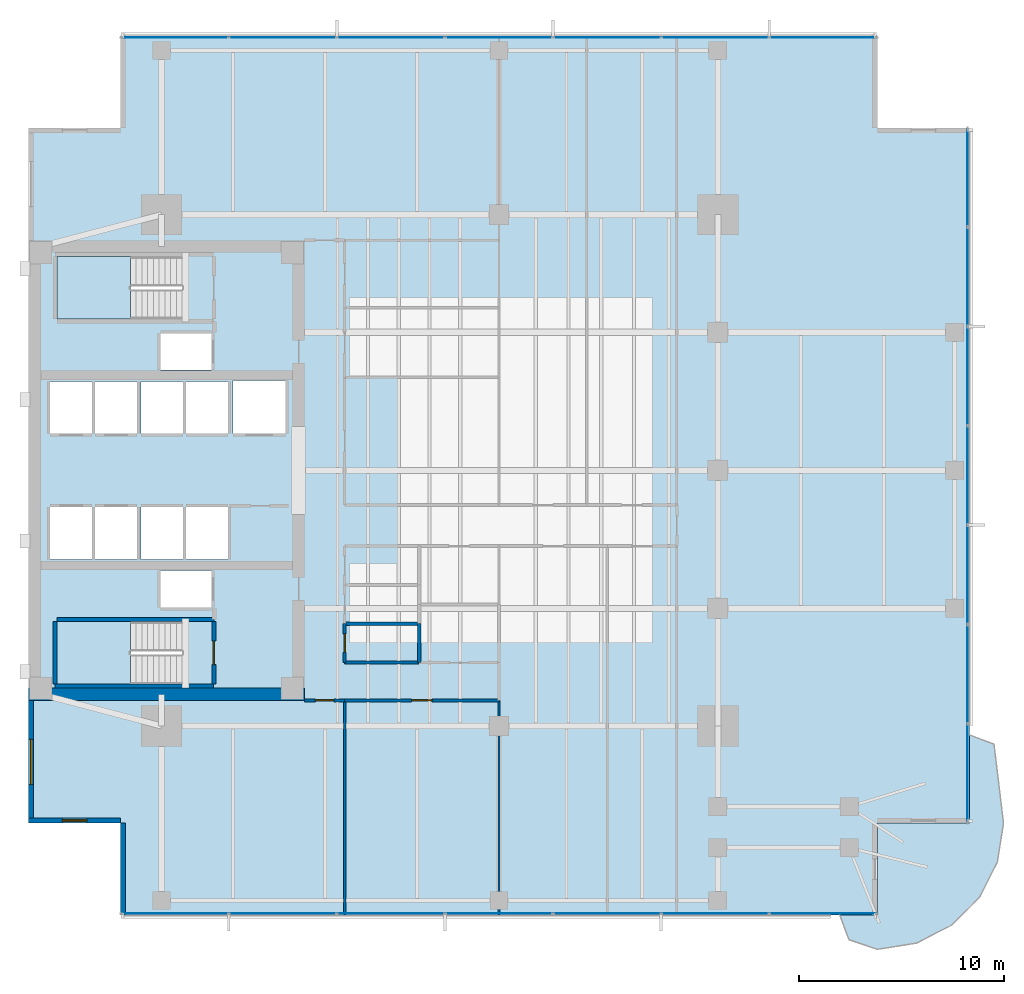
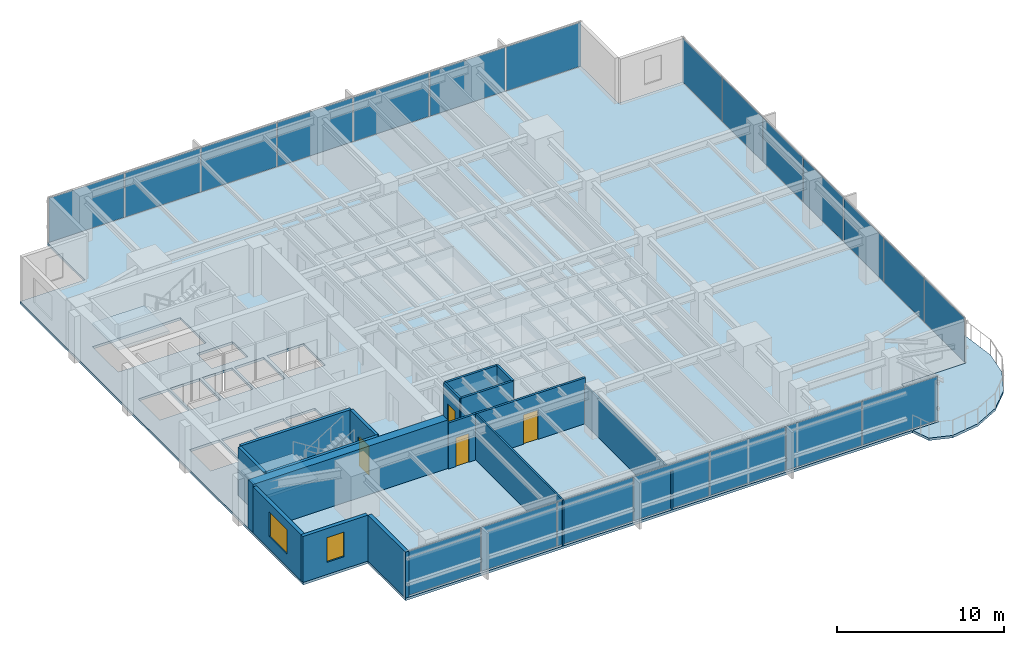
# One storey, part 7 of 14: 21 plates, 16 walls, 4 doors, 4 slabs, 2 windows, 6 openings, 5 elements without a shape of their own.
"""IFC4 building model written with IfcOpenShell, lengths in metres."""

from ifc_helpers import new_model, si_unit, direction, frame, frame_2d, origin, origin_2d, place, context, subcontext, project, spatial, polyline, rectangle, outline, extrude, material, layer, layer_set, type_object, element, fill, aggregate, save


model = new_model("IFC4")

# Units and contexts
model_context = context("Model", 3, precision=1e-05, world=origin(), true_north=direction((0.0, 1.0)))
body_context = subcontext(model_context, "Body", "Model", "MODEL_VIEW")
ifc_project = project(units=[si_unit("LENGTHUNIT", "METRE"), si_unit("AREAUNIT", "SQUARE_METRE"), si_unit("VOLUMEUNIT", "CUBIC_METRE"), si_unit("PLANEANGLEUNIT", "RADIAN"), si_unit("MASSUNIT", "GRAM", prefix="KILO")], contexts=[model_context])

# Site, building, storey
site_placement = place(None, origin())
site = spatial("IfcSite", under=ifc_project, at=site_placement, CompositionType="ELEMENT")
building_placement = place(site_placement, origin())
building = spatial("IfcBuilding", under=site, at=building_placement, Name="Kinhvarn Gate Tower", CompositionType="ELEMENT")
storey_placement = place(building_placement, frame((0.0, 0.0, 127.10009765625)))
storey = spatial("IfcBuildingStorey", under=building, at=storey_placement, Name="L33", CompositionType="ELEMENT", Elevation=127.10009765625)

# Curtain wall, plates
ifc_material_1 = material(Name="Anodised aluminium AW-6063", Category="aluminium")
ifc_layer_1 = layer(ifc_material_1, 0.179931640625)
ifc_layer_set_1 = layer_set([ifc_layer_1], Name="Anodised aluminium AW-6063")
curtain_wall_type = type_object("IfcCurtainWallType", Name="CW-SYS-3", PredefinedType="NOTDEFINED", material=ifc_layer_set_1)
curtain_wall_1_placement = place(storey_placement, origin())
curtain_wall_1 = element("IfcCurtainWall", 1, at=curtain_wall_1_placement, inside=storey, type_object=curtain_wall_type, Name="Curtain Wall CW3 (L33)", PredefinedType="NOTDEFINED")
ifc_material_2 = material(Name="Clear low-e double glazing", Category="glass")
ifc_layer_2 = layer(ifc_material_2, 0.031982421875)
ifc_layer_set_2 = layer_set([ifc_layer_2], Name="Clear low-e double glazing")
plate_type = type_object("IfcPlateType", Name="CW-PNL-VIS", PredefinedType="CURTAIN_PANEL", material=ifc_layer_set_2)
plate_1_placement = place(storey_placement, frame((11.6591796875, 3.590087890625, 0.06982421875), z_axis=(0.0, 0.0, 1.0), x_axis=(1.0, 0.0, 0.0)))
plate_1 = element("IfcPlate", 2, at=plate_1_placement, type_object=plate_type, Name="CW3 panel 1.1", PredefinedType="CURTAIN_PANEL", context=body_context, shape_type="SweptSolid", body=[
    extrude(rectangle(XDim=5.188232421875, YDim=0.031982421875, at=origin_2d()), origin(), (0.0, 0.0, 1.0), 3.22998046875),
])
plate_2_placement = place(storey_placement, frame((16.928466796875, 3.590087890625, 0.06982421875), z_axis=(0.0, 0.0, 1.0), x_axis=(1.0, 0.0, 0.0)))
plate_2 = element("IfcPlate", 3, at=plate_2_placement, type_object=plate_type, Name="CW3 panel 2.1", PredefinedType="CURTAIN_PANEL", context=body_context, shape_type="SweptSolid", body=[
    extrude(rectangle(XDim=5.220703125, YDim=0.031982421875, at=origin_2d()), origin(), (0.0, 0.0, 1.0), 3.22998046875),
])
plate_3_placement = place(storey_placement, frame((22.21435546875, 3.590087890625, 0.06982421875), z_axis=(0.0, 0.0, 1.0), x_axis=(1.0, 0.0, 0.0)))
plate_3 = element("IfcPlate", 4, at=plate_3_placement, type_object=plate_type, Name="CW3 panel 3.1", PredefinedType="CURTAIN_PANEL", context=body_context, shape_type="SweptSolid", body=[
    extrude(rectangle(XDim=5.220703125, YDim=0.031982421875, at=origin_2d()), origin(), (0.0, 0.0, 1.0), 3.22998046875),
])
plate_4_placement = place(storey_placement, frame((27.5, 3.590087890625, 0.06982421875), z_axis=(0.0, 0.0, 1.0), x_axis=(1.0, 0.0, 0.0)))
plate_4 = element("IfcPlate", 5, at=plate_4_placement, type_object=plate_type, Name="CW3 panel 4.1", PredefinedType="CURTAIN_PANEL", context=body_context, shape_type="SweptSolid", body=[
    extrude(rectangle(XDim=5.220703125, YDim=0.031982421875, at=origin_2d()), origin(), (0.0, 0.0, 1.0), 3.22998046875),
])
plate_5_placement = place(storey_placement, frame((32.78564453125, 3.590087890625, 0.06982421875), z_axis=(0.0, 0.0, 1.0), x_axis=(1.0, 0.0, 0.0)))
plate_5 = element("IfcPlate", 6, at=plate_5_placement, type_object=plate_type, Name="CW3 panel 5.1", PredefinedType="CURTAIN_PANEL", context=body_context, shape_type="SweptSolid", body=[
    extrude(rectangle(XDim=5.220703125, YDim=0.031982421875, at=origin_2d()), origin(), (0.0, 0.0, 1.0), 3.22998046875),
])
plate_6_placement = place(storey_placement, frame((38.071533203125, 3.590087890625, 0.06982421875), z_axis=(0.0, 0.0, 1.0), x_axis=(1.0, 0.0, 0.0)))
plate_6 = element("IfcPlate", 7, at=plate_6_placement, type_object=plate_type, Name="CW3 panel 6.1", PredefinedType="CURTAIN_PANEL", context=body_context, shape_type="SweptSolid", body=[
    extrude(rectangle(XDim=5.220703125, YDim=0.031982421875, at=origin_2d()), origin(), (0.0, 0.0, 1.0), 3.22998046875),
])
plate_7_placement = place(storey_placement, frame((43.3408203125, 3.590087890625, 0.06982421875), z_axis=(0.0, 0.0, 1.0), x_axis=(1.0, 0.0, 0.0)))
plate_7 = element("IfcPlate", 8, at=plate_7_placement, type_object=plate_type, Name="CW3 panel 7.1", PredefinedType="CURTAIN_PANEL", context=body_context, shape_type="SweptSolid", body=[
    extrude(rectangle(XDim=5.188232421875, YDim=0.031982421875, at=origin_2d()), origin(), (0.0, 0.0, 1.0), 3.22998046875),
])
aggregate(curtain_wall_1, [plate_1, plate_2, plate_3, plate_4, plate_5, plate_6, plate_7])

curtain_wall_2_placement = place(storey_placement, origin())
curtain_wall_2 = element("IfcCurtainWall", 9, at=curtain_wall_2_placement, inside=storey, type_object=curtain_wall_type, Name="Curtain Wall CW3 (L33)", PredefinedType="NOTDEFINED")
plate_8_placement = place(storey_placement, frame((43.3408203125, 46.409912109375, 0.06982421875), z_axis=(0.0, 0.0, 1.0), x_axis=(-1.0, 0.0, 0.0)))
plate_8 = element("IfcPlate", 10, at=plate_8_placement, type_object=plate_type, Name="CW3 panel 1.1", PredefinedType="CURTAIN_PANEL", context=body_context, shape_type="SweptSolid", body=[
    extrude(rectangle(XDim=5.188232421875, YDim=0.031982421875, at=origin_2d()), origin(), (0.0, 0.0, 1.0), 3.22998046875),
])
plate_9_placement = place(storey_placement, frame((38.071533203125, 46.409912109375, 0.06982421875), z_axis=(0.0, 0.0, 1.0), x_axis=(-1.0, 0.0, 0.0)))
plate_9 = element("IfcPlate", 11, at=plate_9_placement, type_object=plate_type, Name="CW3 panel 2.1", PredefinedType="CURTAIN_PANEL", context=body_context, shape_type="SweptSolid", body=[
    extrude(rectangle(XDim=5.220703125, YDim=0.031982421875, at=origin_2d()), origin(), (0.0, 0.0, 1.0), 3.22998046875),
])
plate_10_placement = place(storey_placement, frame((32.78564453125, 46.409912109375, 0.06982421875), z_axis=(0.0, 0.0, 1.0), x_axis=(-1.0, 0.0, 0.0)))
plate_10 = element("IfcPlate", 12, at=plate_10_placement, type_object=plate_type, Name="CW3 panel 3.1", PredefinedType="CURTAIN_PANEL", context=body_context, shape_type="SweptSolid", body=[
    extrude(rectangle(XDim=5.220703125, YDim=0.031982421875, at=origin_2d()), origin(), (0.0, 0.0, 1.0), 3.22998046875),
])
plate_11_placement = place(storey_placement, frame((27.5, 46.409912109375, 0.06982421875), z_axis=(0.0, 0.0, 1.0), x_axis=(-1.0, 0.0, 0.0)))
plate_11 = element("IfcPlate", 13, at=plate_11_placement, type_object=plate_type, Name="CW3 panel 4.1", PredefinedType="CURTAIN_PANEL", context=body_context, shape_type="SweptSolid", body=[
    extrude(rectangle(XDim=5.220703125, YDim=0.031982421875, at=origin_2d()), origin(), (0.0, 0.0, 1.0), 3.22998046875),
])
plate_12_placement = place(storey_placement, frame((22.21435546875, 46.409912109375, 0.06982421875), z_axis=(0.0, 0.0, 1.0), x_axis=(-1.0, 0.0, 0.0)))
plate_12 = element("IfcPlate", 14, at=plate_12_placement, type_object=plate_type, Name="CW3 panel 5.1", PredefinedType="CURTAIN_PANEL", context=body_context, shape_type="SweptSolid", body=[
    extrude(rectangle(XDim=5.220703125, YDim=0.031982421875, at=origin_2d()), origin(), (0.0, 0.0, 1.0), 3.22998046875),
])
plate_13_placement = place(storey_placement, frame((16.928466796875, 46.409912109375, 0.06982421875), z_axis=(0.0, 0.0, 1.0), x_axis=(-1.0, 0.0, 0.0)))
plate_13 = element("IfcPlate", 15, at=plate_13_placement, type_object=plate_type, Name="CW3 panel 6.1", PredefinedType="CURTAIN_PANEL", context=body_context, shape_type="SweptSolid", body=[
    extrude(rectangle(XDim=5.220703125, YDim=0.031982421875, at=origin_2d()), origin(), (0.0, 0.0, 1.0), 3.22998046875),
])
plate_14_placement = place(storey_placement, frame((11.6591796875, 46.409912109375, 0.06982421875), z_axis=(0.0, 0.0, 1.0), x_axis=(-1.0, 0.0, 0.0)))
plate_14 = element("IfcPlate", 16, at=plate_14_placement, type_object=plate_type, Name="CW3 panel 7.1", PredefinedType="CURTAIN_PANEL", context=body_context, shape_type="SweptSolid", body=[
    extrude(rectangle(XDim=5.188232421875, YDim=0.031982421875, at=origin_2d()), origin(), (0.0, 0.0, 1.0), 3.22998046875),
])
aggregate(curtain_wall_2, [plate_8, plate_9, plate_10, plate_11, plate_12, plate_13, plate_14])

curtain_wall_3_placement = place(storey_placement, origin())
curtain_wall_3 = element("IfcCurtainWall", 17, at=curtain_wall_3_placement, inside=storey, type_object=curtain_wall_type, Name="Curtain Wall CW3 (L33)", PredefinedType="NOTDEFINED")
plate_15_placement = place(storey_placement, frame((50.409912109375, 10.44482421875, 0.06982421875), z_axis=(0.0, 0.0, 1.0), x_axis=(0.0, 1.0, 0.0)))
plate_15 = element("IfcPlate", 18, at=plate_15_placement, type_object=plate_type, Name="CW3 panel 1.1", PredefinedType="CURTAIN_PANEL", context=body_context, shape_type="SweptSolid", body=[
    extrude(rectangle(XDim=4.759521484375, YDim=0.031982421875, at=origin_2d()), origin(), (0.0, 0.0, 1.0), 3.22998046875),
])
plate_16_placement = place(storey_placement, frame((50.409912109375, 15.28564453125, 0.06982421875), z_axis=(0.0, 0.0, 1.0), x_axis=(0.0, 1.0, 0.0)))
plate_16 = element("IfcPlate", 19, at=plate_16_placement, type_object=plate_type, Name="CW3 panel 2.1", PredefinedType="CURTAIN_PANEL", context=body_context, shape_type="SweptSolid", body=[
    extrude(rectangle(XDim=4.792236328125, YDim=0.031982421875, at=origin_2d()), origin(), (0.0, 0.0, 1.0), 3.22998046875),
])
plate_17_placement = place(storey_placement, frame((50.409912109375, 20.142822265625, 0.06982421875), z_axis=(0.0, 0.0, 1.0), x_axis=(0.0, 1.0, 0.0)))
plate_17 = element("IfcPlate", 20, at=plate_17_placement, type_object=plate_type, Name="CW3 panel 3.1", PredefinedType="CURTAIN_PANEL", context=body_context, shape_type="SweptSolid", body=[
    extrude(rectangle(XDim=4.792236328125, YDim=0.031982421875, at=origin_2d()), origin(), (0.0, 0.0, 1.0), 3.22998046875),
])
plate_18_placement = place(storey_placement, frame((50.409912109375, 25.0, 0.06982421875), z_axis=(0.0, 0.0, 1.0), x_axis=(0.0, 1.0, 0.0)))
plate_18 = element("IfcPlate", 21, at=plate_18_placement, type_object=plate_type, Name="CW3 panel 4.1", PredefinedType="CURTAIN_PANEL", context=body_context, shape_type="SweptSolid", body=[
    extrude(rectangle(XDim=4.792236328125, YDim=0.031982421875, at=origin_2d()), origin(), (0.0, 0.0, 1.0), 3.22998046875),
])
plate_19_placement = place(storey_placement, frame((50.409912109375, 29.857177734375, 0.06982421875), z_axis=(0.0, 0.0, 1.0), x_axis=(0.0, 1.0, 0.0)))
plate_19 = element("IfcPlate", 22, at=plate_19_placement, type_object=plate_type, Name="CW3 panel 5.1", PredefinedType="CURTAIN_PANEL", context=body_context, shape_type="SweptSolid", body=[
    extrude(rectangle(XDim=4.792236328125, YDim=0.031982421875, at=origin_2d()), origin(), (0.0, 0.0, 1.0), 3.22998046875),
])
plate_20_placement = place(storey_placement, frame((50.409912109375, 34.71435546875, 0.06982421875), z_axis=(0.0, 0.0, 1.0), x_axis=(0.0, 1.0, 0.0)))
plate_20 = element("IfcPlate", 23, at=plate_20_placement, type_object=plate_type, Name="CW3 panel 6.1", PredefinedType="CURTAIN_PANEL", context=body_context, shape_type="SweptSolid", body=[
    extrude(rectangle(XDim=4.792236328125, YDim=0.031982421875, at=origin_2d()), origin(), (0.0, 0.0, 1.0), 3.22998046875),
])
plate_21_placement = place(storey_placement, frame((50.409912109375, 39.55517578125, 0.06982421875), z_axis=(0.0, 0.0, 1.0), x_axis=(0.0, 1.0, 0.0)))
plate_21 = element("IfcPlate", 24, at=plate_21_placement, type_object=plate_type, Name="CW3 panel 7.1", PredefinedType="CURTAIN_PANEL", context=body_context, shape_type="SweptSolid", body=[
    extrude(rectangle(XDim=4.759521484375, YDim=0.031982421875, at=origin_2d()), origin(), (0.0, 0.0, 1.0), 3.22998046875),
])
aggregate(curtain_wall_3, [plate_15, plate_16, plate_17, plate_18, plate_19, plate_20, plate_21])

# Slabs
ifc_material_3 = material(Name="Precast white architectural concrete C40/50", Category="concrete")
ifc_layer_3 = layer(ifc_material_3, 0.179931640625)
ifc_layer_set_3 = layer_set([ifc_layer_3], Name="Precast white architectural concrete C40/50")
slab_type_1 = type_object("IfcSlabType", Name="SLB-BAL-180", PredefinedType="FLOOR", material=ifc_layer_set_3)
slab_1_placement = place(storey_placement, frame((0.0, 0.0, -0.18017578125)))
element("IfcSlab", 25, at=slab_1_placement, inside=storey, type_object=slab_type_1, Name="S-Carve Curved Terrace Balcony Slab L33 (SE)", PredefinedType="FLOOR", context=body_context, shape_type="SweptSolid", body=[
    extrude(outline(polyline([(44.1640625, 3.5), (44.614013671875, 2.29833984375), (46.0, 1.8310546875), (47.90625, 2.1328125), (49.6259765625, 3.00927734375), (50.99072265625, 4.3740234375), (51.8671875, 6.09375), (52.1689453125, 8.0), (51.70166015625, 11.864013671875), (50.5, 12.31396484375), (50.5, 8.0), (46.0, 8.0), (46.0, 3.5), (44.1640625, 3.5)])), origin(), (0.0, 0.0, 1.0), 0.18017578125),
])
ifc_material_4 = material(Name="Concrete C40/50", Category="concrete")
ifc_layer_4 = layer(ifc_material_4, 0.179931640625)
ifc_layer_set_4 = layer_set([ifc_layer_4], Name="Concrete C40/50")
slab_type_2 = type_object("IfcSlabType", Name="SLB-FLR-180", PredefinedType="FLOOR", material=ifc_layer_set_4)
slab_2_placement = place(storey_placement, frame((0.0, 0.0, -0.18017578125)))
element("IfcSlab", 26, at=slab_2_placement, inside=storey, type_object=slab_type_2, Name="Suspended Floor Slab L33", PredefinedType="FLOOR", context=body_context, shape_type="SweptSolid", body=[
    extrude(outline(polyline([(9.0, 3.5), (46.0, 3.5), (46.0, 8.0), (50.5, 8.0), (50.5, 42.0), (46.0, 42.0), (46.0, 46.5), (9.0, 46.5), (9.0, 42.0), (4.5, 42.0), (4.5, 8.0), (9.0, 8.0), (9.0, 3.5)]), holes=[polyline([(5.89990234375, 14.800048828125), (12.0, 14.800048828125), (12.0, 17.85009765625), (5.89990234375, 17.85009765625), (5.89990234375, 14.800048828125)]), polyline([(5.89990234375, 32.64990234375), (12.0, 32.64990234375), (12.0, 35.699951171875), (5.89990234375, 35.699951171875), (5.89990234375, 32.64990234375)]), polyline([(5.550048828125, 20.89990234375), (7.60009765625, 20.89990234375), (7.60009765625, 23.449951171875), (5.550048828125, 23.449951171875), (5.550048828125, 20.89990234375)]), polyline([(7.75, 20.89990234375), (9.800048828125, 20.89990234375), (9.800048828125, 23.449951171875), (7.75, 23.449951171875), (7.75, 20.89990234375)]), polyline([(5.550048828125, 27.050048828125), (7.60009765625, 27.050048828125), (7.60009765625, 29.60009765625), (5.550048828125, 29.60009765625), (5.550048828125, 27.050048828125)]), polyline([(7.75, 27.050048828125), (9.800048828125, 27.050048828125), (9.800048828125, 29.60009765625), (7.75, 29.60009765625), (7.75, 27.050048828125)]), polyline([(10.0, 20.89990234375), (12.050048828125, 20.89990234375), (12.050048828125, 23.449951171875), (10.0, 23.449951171875), (10.0, 20.89990234375)]), polyline([(12.199951171875, 20.89990234375), (14.25, 20.89990234375), (14.25, 23.449951171875), (12.199951171875, 23.449951171875), (12.199951171875, 20.89990234375)]), polyline([(10.0, 27.050048828125), (12.050048828125, 27.050048828125), (12.050048828125, 29.60009765625), (10.0, 29.60009765625), (10.0, 27.050048828125)]), polyline([(12.199951171875, 27.050048828125), (14.25, 27.050048828125), (14.25, 29.60009765625), (12.199951171875, 29.60009765625), (12.199951171875, 27.050048828125)]), polyline([(14.5, 27.050048828125), (17.050048828125, 27.050048828125), (17.050048828125, 29.64990234375), (14.5, 29.64990234375), (14.5, 27.050048828125)]), polyline([(10.949951171875, 18.550048828125), (13.449951171875, 18.550048828125), (13.449951171875, 20.35009765625), (10.949951171875, 20.35009765625), (10.949951171875, 18.550048828125)]), polyline([(10.949951171875, 30.14990234375), (13.449951171875, 30.14990234375), (13.449951171875, 31.949951171875), (10.949951171875, 31.949951171875), (10.949951171875, 30.14990234375)])]), origin(), (0.0, 0.0, 1.0), 0.18017578125),
])

# Stair, slab
stair_type = type_object("IfcStairType", Name="STR-DLG-178", PredefinedType="HALF_TURN_STAIR", material=ifc_material_4)
stair_1_placement = place(storey_placement, origin())
stair_1 = element("IfcStair", 27, at=stair_1_placement, inside=storey, type_object=stair_type, Name="L33 Core Smokeproof Exit Stair ST1", PredefinedType="HALF_TURN_STAIR")
ifc_layer_5 = layer(ifc_material_4, 0.199951171875)
ifc_layer_set_5 = layer_set([ifc_layer_5], Name="Concrete C40/50")
slab_type_3 = type_object("IfcSlabType", Name="SLB-ST-LND", PredefinedType="LANDING", material=ifc_layer_set_5)
slab_3_placement = place(storey_placement, frame((0.0, 0.0, 1.574951171875)))
slab_3 = element("IfcSlab", 28, at=slab_3_placement, type_object=slab_type_3, Name="ST1 landing 1", PredefinedType="LANDING", context=body_context, shape_type="SweptSolid", body=[
    extrude(outline(polyline([(9.47998046875, 17.85009765625), (5.89990234375, 17.85009765625), (5.89990234375, 14.800048828125), (9.47998046875, 14.800048828125), (9.47998046875, 17.85009765625)])), origin(), (0.0, 0.0, 1.0), 0.199951171875),
])
aggregate(stair_1, [slab_3])

stair_2_placement = place(storey_placement, origin())
stair_2 = element("IfcStair", 29, at=stair_2_placement, inside=storey, type_object=stair_type, Name="L33 Core Smokeproof Exit Stair ST2", PredefinedType="HALF_TURN_STAIR")
slab_4_placement = place(storey_placement, frame((0.0, 0.0, 1.574951171875)))
slab_4 = element("IfcSlab", 30, at=slab_4_placement, type_object=slab_type_3, Name="ST2 landing 1", PredefinedType="LANDING", context=body_context, shape_type="SweptSolid", body=[
    extrude(outline(polyline([(9.47998046875, 35.699951171875), (5.89990234375, 35.699951171875), (5.89990234375, 32.64990234375), (9.47998046875, 32.64990234375), (9.47998046875, 35.699951171875)])), origin(), (0.0, 0.0, 1.0), 0.199951171875),
])
aggregate(stair_2, [slab_4])

# Wall
ifc_material_5 = material(Name="Concrete C60/75", Category="concrete")
ifc_layer_6 = layer(ifc_material_5, 0.60009765625)
ifc_layer_set_6 = layer_set([ifc_layer_6], Name="Concrete C60/75")
wall_type_1 = type_object("IfcWallType", Name="WL-CORE-600", PredefinedType="SHEAR", material=ifc_layer_set_6)
wall_1_placement = place(storey_placement, frame((4.5, 14.300048828125, 0.0), z_axis=(0.0, 0.0, 1.0), x_axis=(1.0, 0.0, 0.0)))
element("IfcWall", 31, at=wall_1_placement, inside=storey, type_object=wall_type_1, Name="Core South Shear Wall L33 600 mm", PredefinedType="SHEAR", context=body_context, shape_type="SweptSolid", body=[
    extrude(rectangle(XDim=13.5, YDim=0.60009765625, at=frame_2d((6.75, 0.0))), origin(), (0.0, 0.0, 1.0), 3.5498046875),
])

# Wall, opening, window
ifc_material_6 = material(Name="Fired architectural terracotta", Category="masonry")
ifc_layer_7 = layer(ifc_material_6, 0.25)
ifc_layer_set_7 = layer_set([ifc_layer_7], Name="Fired architectural terracotta")
wall_type_2 = type_object("IfcWallType", Name="WL-EXT-250", PredefinedType="SOLIDWALL", material=ifc_layer_set_7)
wall_2_placement = place(storey_placement, frame((4.625, 14.0, 0.0), z_axis=(0.0, 0.0, 1.0), x_axis=(0.0, -1.0, 0.0)))
wall_2 = element("IfcWall", 32, at=wall_2_placement, inside=storey, type_object=wall_type_2, Name="Exterior Solidwall Wall EW-250 (L33 West-South)", PredefinedType="SOLIDWALL", context=body_context, shape_type="SweptSolid", body=[
    extrude(rectangle(XDim=6.0, YDim=0.25, at=frame_2d((3.0, 0.0))), origin(), (0.0, 0.0, 1.0), 3.369873046875),
])
opening_1_placement = place(wall_2_placement, frame((1.89990234375, 0.0, 0.89990234375)))
opening_1 = element("IfcOpeningElement", 33, at=opening_1_placement, cuts=wall_2, Name="Opening WN-01", PredefinedType="OPENING", context=body_context, shape_type="SweptSolid", body=[
    extrude(rectangle(XDim=2.199951171875, YDim=1.800048828125, at=frame_2d((1.10009765625, 0.89990234375))), frame((0.0, 0.135009765625, 0.0), z_axis=(0.0, -1.0, 0.0), x_axis=(1.0, 0.0, 0.0)), (0.0, 0.0, 1.0), 0.27001953125),
])
window_type_1 = type_object("IfcWindowType", Name="WIN-RIB-2200", PartitioningType="SINGLE_PANEL", PredefinedType="WINDOW", material=ifc_material_2)
window_1_placement = place(opening_1_placement, origin())
window_1 = element("IfcWindow", 34, at=window_1_placement, inside=storey, type_object=window_type_1, Name="West Flank Double-Glazed Ribbon Window 2200x1800 mm (L33)", OverallHeight=1.800048828125, OverallWidth=2.199951171875, PartitioningType="SINGLE_PANEL", PredefinedType="WINDOW", context=body_context, shape_type="SweptSolid", body=[
    extrude(rectangle(XDim=2.199951171875, YDim=1.800048828125, at=frame_2d((1.10009765625, 0.89990234375))), frame((0.0, 0.030029296875, 0.0), z_axis=(0.0, -1.0, 0.0), x_axis=(1.0, 0.0, 0.0)), (0.0, 0.0, 1.0), 0.06005859375),
])
fill(opening_1, window_1)

wall_3_placement = place(storey_placement, frame((4.5, 8.125, 0.0), z_axis=(0.0, 0.0, 1.0), x_axis=(1.0, 0.0, 0.0)))
wall_3 = element("IfcWall", 35, at=wall_3_placement, inside=storey, type_object=wall_type_2, Name="Exterior Solidwall Wall EW-250 (L33 SW-Notch-1)", PredefinedType="SOLIDWALL", context=body_context, shape_type="SweptSolid", body=[
    extrude(rectangle(XDim=4.5, YDim=0.25, at=frame_2d((2.25, 0.0))), origin(), (0.0, 0.0, 1.0), 3.369873046875),
])
opening_2_placement = place(wall_3_placement, frame((1.64990234375, 0.0, 0.89990234375)))
opening_2 = element("IfcOpeningElement", 36, at=opening_2_placement, cuts=wall_3, Name="Opening WN-02", PredefinedType="OPENING", context=body_context, shape_type="SweptSolid", body=[
    extrude(rectangle(XDim=1.199951171875, YDim=1.800048828125, at=frame_2d((0.60009765625, 0.89990234375))), frame((0.0, 0.135009765625, 0.0), z_axis=(0.0, -1.0, 0.0), x_axis=(1.0, 0.0, 0.0)), (0.0, 0.0, 1.0), 0.27001953125),
])
window_type_2 = type_object("IfcWindowType", Name="WIN-NTC-1200", PartitioningType="SINGLE_PANEL", PredefinedType="WINDOW", material=ifc_material_2)
window_2_placement = place(opening_2_placement, origin())
window_2 = element("IfcWindow", 37, at=window_2_placement, inside=storey, type_object=window_type_2, Name="Recessed Corner Notch Punched Window 1200x1800 mm (L33)", OverallHeight=1.800048828125, OverallWidth=1.199951171875, PartitioningType="SINGLE_PANEL", PredefinedType="WINDOW", context=body_context, shape_type="SweptSolid", body=[
    extrude(rectangle(XDim=1.199951171875, YDim=1.800048828125, at=frame_2d((0.60009765625, 0.89990234375))), frame((0.0, 0.030029296875, 0.0), z_axis=(0.0, -1.0, 0.0), x_axis=(1.0, 0.0, 0.0)), (0.0, 0.0, 1.0), 0.06005859375),
])
fill(opening_2, window_2)

# Walls
wall_4_placement = place(storey_placement, frame((9.125, 8.0, 0.0), z_axis=(0.0, 0.0, 1.0), x_axis=(0.0, -1.0, 0.0)))
element("IfcWall", 38, at=wall_4_placement, inside=storey, type_object=wall_type_2, Name="Exterior Solidwall Wall EW-250 (L33 SW-Notch-2)", PredefinedType="SOLIDWALL", context=body_context, shape_type="SweptSolid", body=[
    extrude(rectangle(XDim=4.5, YDim=0.25, at=frame_2d((2.25, 0.0))), origin(), (0.0, 0.0, 1.0), 3.369873046875),
])
ifc_material_7 = material(Name="Gypsum acoustic partition board")
ifc_layer_8 = layer(ifc_material_7, 0.14990234375)
ifc_layer_set_8 = layer_set([ifc_layer_8], Name="Gypsum acoustic partition board")
wall_type_3 = type_object("IfcWallType", Name="WL-PLM-150", PredefinedType="PLUMBINGWALL", material=ifc_layer_set_8)
wall_5_placement = place(storey_placement, frame((19.949951171875, 17.75, 0.0), z_axis=(0.0, 0.0, 1.0), x_axis=(1.0, 0.0, 0.0)))
element("IfcWall", 39, at=wall_5_placement, inside=storey, type_object=wall_type_3, Name="Interior Partition PLW-150 (L33)", PredefinedType="PLUMBINGWALL", context=body_context, shape_type="SweptSolid", body=[
    extrude(rectangle(XDim=3.650146484375, YDim=0.14990234375, at=frame_2d((1.8251953125, 0.0))), origin(), (0.0, 0.0, 1.0), 3.369873046875),
])
wall_6_placement = place(storey_placement, frame((23.60009765625, 15.85009765625, 0.0), z_axis=(0.0, 0.0, 1.0), x_axis=(0.0, 1.0, 0.0)))
element("IfcWall", 40, at=wall_6_placement, inside=storey, type_object=wall_type_3, Name="Interior Partition PLW-150 (L33)", PredefinedType="PLUMBINGWALL", context=body_context, shape_type="SweptSolid", body=[
    extrude(rectangle(XDim=1.89990234375, YDim=0.14990234375, at=frame_2d((0.949951171875, 0.0))), origin(), (0.0, 0.0, 1.0), 3.369873046875),
])

# Wall, opening, door
ifc_layer_9 = layer(ifc_material_7, 0.14990234375)
ifc_layer_set_9 = layer_set([ifc_layer_9], Name="Gypsum acoustic partition board")
wall_type_4 = type_object("IfcWallType", Name="WL-PLM-150F", PredefinedType="PLUMBINGWALL", material=ifc_layer_set_9)
wall_7_placement = place(storey_placement, frame((19.949951171875, 15.85009765625, 0.0), z_axis=(0.0, 0.0, 1.0), x_axis=(0.0, 1.0, 0.0)))
wall_7 = element("IfcWall", 41, at=wall_7_placement, inside=storey, type_object=wall_type_4, Name="Interior Partition PLW-150F (L33)", PredefinedType="PLUMBINGWALL", context=body_context, shape_type="SweptSolid", body=[
    extrude(rectangle(XDim=1.89990234375, YDim=0.14990234375, at=frame_2d((0.949951171875, 0.0))), origin(), (0.0, 0.0, 1.0), 3.369873046875),
])
opening_3_placement = place(wall_7_placement, frame((0.5, 0.0, 0.0)))
opening_3 = element("IfcOpeningElement", 42, at=opening_3_placement, cuts=wall_7, Name="Opening FD-04", PredefinedType="OPENING", context=body_context, shape_type="SweptSolid", body=[
    extrude(rectangle(XDim=0.89990234375, YDim=2.10009765625, at=frame_2d((0.449951171875, 1.050048828125))), frame((0.0, 0.0849609375, 0.0), z_axis=(0.0, -1.0, 0.0), x_axis=(1.0, 0.0, 0.0)), (0.0, 0.0, 1.0), 0.169921875),
])
door_type_1 = type_object("IfcDoorType", Name="DR-FD-900", OperationType="NOTDEFINED", PredefinedType="DOOR", material=ifc_material_1)
door_1_placement = place(opening_3_placement, origin())
door_1 = element("IfcDoor", 43, at=door_1_placement, inside=storey, type_object=door_type_1, Name="Rated Riser & Service Closet Fire Door 900x2100 mm (L33)", OperationType="SINGLE_SWING_RIGHT", OverallHeight=2.10009765625, OverallWidth=0.89990234375, PredefinedType="DOOR", context=body_context, shape_type="SweptSolid", body=[
    extrude(rectangle(XDim=0.89990234375, YDim=2.10009765625, at=frame_2d((0.449951171875, 1.050048828125))), frame((0.0, 0.02490234375, 0.0), z_axis=(0.0, -1.0, 0.0), x_axis=(1.0, 0.0, 0.0)), (0.0, 0.0, 1.0), 0.050048828125),
])
fill(opening_3, door_1)

# Walls
wall_8_placement = place(storey_placement, frame((19.949951171875, 15.85009765625, 0.0), z_axis=(0.0, 0.0, 1.0), x_axis=(1.0, 0.0, 0.0)))
element("IfcWall", 44, at=wall_8_placement, inside=storey, type_object=wall_type_4, Name="Interior Partition PLW-150F (L33)", PredefinedType="PLUMBINGWALL", context=body_context, shape_type="SweptSolid", body=[
    extrude(rectangle(XDim=3.650146484375, YDim=0.14990234375, at=frame_2d((1.8251953125, 0.0))), origin(), (0.0, 0.0, 1.0), 3.369873046875),
])
ifc_layer_10 = layer(ifc_material_7, 0.1201171875)
ifc_layer_set_10 = layer_set([ifc_layer_10], Name="Gypsum acoustic partition board")
wall_type_5 = type_object("IfcWallType", Name="WL-PRT-120", PredefinedType="PARTITIONING", material=ifc_layer_set_10)
wall_9_placement = place(storey_placement, frame((19.949951171875, 3.510009765625, 0.0), z_axis=(0.0, 0.0, 1.0), x_axis=(0.0, 1.0, 0.0)))
element("IfcWall", 45, at=wall_9_placement, inside=storey, type_object=wall_type_5, Name="Interior Partition PW-120 (L33)", PredefinedType="PARTITIONING", context=body_context, shape_type="SweptSolid", body=[
    extrude(rectangle(XDim=10.489990234375, YDim=0.1201171875, at=frame_2d((5.2451171875, 0.0))), origin(), (0.0, 0.0, 1.0), 3.369873046875),
])
wall_10_placement = place(storey_placement, frame((27.5, 3.510009765625, 0.0), z_axis=(0.0, 0.0, 1.0), x_axis=(0.0, 1.0, 0.0)))
element("IfcWall", 46, at=wall_10_placement, inside=storey, type_object=wall_type_5, Name="Interior Partition PW-120 (L33)", PredefinedType="PARTITIONING", context=body_context, shape_type="SweptSolid", body=[
    extrude(rectangle(XDim=10.489990234375, YDim=0.1201171875, at=frame_2d((5.2451171875, 0.0))), origin(), (0.0, 0.0, 1.0), 2.869873046875),
])

# Wall, opening, door
ifc_layer_11 = layer(ifc_material_7, 0.14990234375)
ifc_layer_set_11 = layer_set([ifc_layer_11], Name="Gypsum acoustic partition board")
wall_type_6 = type_object("IfcWallType", Name="WL-PRT-150F", PredefinedType="PARTITIONING", material=ifc_layer_set_11)
wall_11_placement = place(storey_placement, frame((18.0, 14.0, 0.0), z_axis=(0.0, 0.0, 1.0), x_axis=(1.0, 0.0, 0.0)))
wall_11 = element("IfcWall", 47, at=wall_11_placement, inside=storey, type_object=wall_type_6, Name="Interior Partition PW-150F (L33)", PredefinedType="PARTITIONING", context=body_context, shape_type="SweptSolid", body=[
    extrude(rectangle(XDim=1.949951171875, YDim=0.14990234375, at=frame_2d((0.97509765625, 0.0))), origin(), (0.0, 0.0, 1.0), 3.369873046875),
])
opening_4_placement = place(wall_11_placement, frame((0.52490234375, 0.0, 0.0)))
opening_4 = element("IfcOpeningElement", 48, at=opening_4_placement, cuts=wall_11, Name="Opening ID-03", PredefinedType="OPENING", context=body_context, shape_type="SweptSolid", body=[
    extrude(rectangle(XDim=0.89990234375, YDim=2.10009765625, at=frame_2d((0.449951171875, 1.050048828125))), frame((0.0, 0.0849609375, 0.0), z_axis=(0.0, -1.0, 0.0), x_axis=(1.0, 0.0, 0.0)), (0.0, 0.0, 1.0), 0.169921875),
])
door_type_2 = type_object("IfcDoorType", Name="DR-INT-900", OperationType="NOTDEFINED", PredefinedType="DOOR", material=ifc_material_1)
door_2_placement = place(opening_4_placement, origin())
door_2 = element("IfcDoor", 49, at=door_2_placement, inside=storey, type_object=door_type_2, Name="Cellular Office & Restroom Door 900x2100 mm (L33)", OperationType="SINGLE_SWING_RIGHT", OverallHeight=2.10009765625, OverallWidth=0.89990234375, PredefinedType="DOOR", context=body_context, shape_type="SweptSolid", body=[
    extrude(rectangle(XDim=0.89990234375, YDim=2.10009765625, at=frame_2d((0.449951171875, 1.050048828125))), frame((0.0, 0.02490234375, 0.0), z_axis=(0.0, -1.0, 0.0), x_axis=(1.0, 0.0, 0.0)), (0.0, 0.0, 1.0), 0.050048828125),
])
fill(opening_4, door_2)

wall_12_placement = place(storey_placement, frame((19.949951171875, 14.0, 0.0), z_axis=(0.0, 0.0, 1.0), x_axis=(1.0, 0.0, 0.0)))
wall_12 = element("IfcWall", 50, at=wall_12_placement, inside=storey, type_object=wall_type_6, Name="Interior Partition PW-150F (L33)", PredefinedType="PARTITIONING", context=body_context, shape_type="SweptSolid", body=[
    extrude(rectangle(XDim=7.550048828125, YDim=0.14990234375, at=frame_2d((3.77490234375, 0.0))), origin(), (0.0, 0.0, 1.0), 3.369873046875),
])
opening_5_placement = place(wall_12_placement, frame((3.27490234375, 0.0, 0.0)))
opening_5 = element("IfcOpeningElement", 51, at=opening_5_placement, cuts=wall_12, Name="Opening ID-02", PredefinedType="OPENING", context=body_context, shape_type="SweptSolid", body=[
    extrude(rectangle(XDim=1.0, YDim=2.14990234375, at=frame_2d((0.5, 1.074951171875))), frame((0.0, 0.0849609375, 0.0), z_axis=(0.0, -1.0, 0.0), x_axis=(1.0, 0.0, 0.0)), (0.0, 0.0, 1.0), 0.169921875),
])
door_type_3 = type_object("IfcDoorType", Name="DR-INT-1000", OperationType="NOTDEFINED", PredefinedType="DOOR", material=ifc_material_1)
door_3_placement = place(opening_5_placement, origin())
door_3 = element("IfcDoor", 52, at=door_3_placement, inside=storey, type_object=door_type_3, Name="Standard Office & Meeting Room Door 1000x2150 mm (L33)", OperationType="SINGLE_SWING_LEFT", OverallHeight=2.14990234375, OverallWidth=1.0, PredefinedType="DOOR", context=body_context, shape_type="SweptSolid", body=[
    extrude(rectangle(XDim=1.0, YDim=2.14990234375, at=frame_2d((0.5, 1.074951171875))), frame((0.0, 0.02490234375, 0.0), z_axis=(0.0, -1.0, 0.0), x_axis=(1.0, 0.0, 0.0)), (0.0, 0.0, 1.0), 0.050048828125),
])
fill(opening_5, door_3)

# Walls
ifc_layer_12 = layer(ifc_material_4, 0.199951171875)
ifc_layer_set_12 = layer_set([ifc_layer_12], Name="Concrete C40/50")
wall_type_7 = type_object("IfcWallType", Name="WL-SHF-200", PredefinedType="SOLIDWALL", material=ifc_layer_set_12)
wall_13_placement = place(storey_placement, frame((5.800048828125, 14.699951171875, 0.0), z_axis=(0.0, 0.0, 1.0), x_axis=(1.0, 0.0, 0.0)))
element("IfcWall", 53, at=wall_13_placement, inside=storey, type_object=wall_type_7, Name="Stair ST1 South Shaft Wall (L33)", PredefinedType="SOLIDWALL", context=body_context, shape_type="SweptSolid", body=[
    extrude(rectangle(XDim=7.75, YDim=0.199951171875, at=frame_2d((3.875, 0.0))), origin(), (0.0, 0.0, 1.0), 3.5498046875),
])
wall_14_placement = place(storey_placement, frame((5.7900390625, 14.800048828125, 0.0), z_axis=(0.0, 0.0, 1.0), x_axis=(0.0, 1.0, 0.0)))
element("IfcWall", 54, at=wall_14_placement, inside=storey, type_object=wall_type_7, Name="Stair ST1 West Shaft Wall (L33)", PredefinedType="SOLIDWALL", context=body_context, shape_type="SweptSolid", body=[
    extrude(rectangle(XDim=3.050048828125, YDim=0.199951171875, at=frame_2d((1.52490234375, 0.0))), origin(), (0.0, 0.0, 1.0), 3.5498046875),
])
wall_15_placement = place(storey_placement, frame((5.89990234375, 17.9599609375, 0.0), z_axis=(0.0, 0.0, 1.0), x_axis=(1.0, 0.0, 0.0)))
element("IfcWall", 55, at=wall_15_placement, inside=storey, type_object=wall_type_7, Name="Stair ST1 North Shaft Wall (L33)", PredefinedType="SOLIDWALL", context=body_context, shape_type="SweptSolid", body=[
    extrude(rectangle(XDim=7.66015625, YDim=0.199951171875, at=frame_2d((3.830078125, 0.0))), origin(), (0.0, 0.0, 1.0), 3.5498046875),
])

# Wall, opening, door
wall_16_placement = place(storey_placement, frame((13.56005859375, 14.800048828125, 0.0), z_axis=(0.0, 0.0, 1.0), x_axis=(0.0, 1.0, 0.0)))
wall_16 = element("IfcWall", 56, at=wall_16_placement, inside=storey, type_object=wall_type_7, Name="Stair ST1 East Entry Wall (L33)", PredefinedType="SOLIDWALL", context=body_context, shape_type="SweptSolid", body=[
    extrude(rectangle(XDim=3.050048828125, YDim=0.199951171875, at=frame_2d((1.52490234375, 0.0))), origin(), (0.0, 0.0, 1.0), 3.5498046875),
])
opening_6_placement = place(wall_16_placement, frame((0.949951171875, 0.0, 0.0)))
opening_6 = element("IfcOpeningElement", 57, at=opening_6_placement, cuts=wall_16, Name="Opening FD-01", PredefinedType="OPENING", context=body_context, shape_type="SweptSolid", body=[
    extrude(rectangle(XDim=1.14990234375, YDim=2.14990234375, at=frame_2d((0.574951171875, 1.074951171875))), frame((0.0, 0.10986328125, 0.0), z_axis=(0.0, -1.0, 0.0), x_axis=(1.0, 0.0, 0.0)), (0.0, 0.0, 1.0), 0.219970703125),
])
door_type_4 = type_object("IfcDoorType", Name="DR-ST-1150", OperationType="NOTDEFINED", PredefinedType="DOOR", material=ifc_material_1)
door_4_placement = place(opening_6_placement, origin())
door_4 = element("IfcDoor", 58, at=door_4_placement, inside=storey, type_object=door_type_4, Name="Exit Stair ST1 Fire Door (L33)", OperationType="SINGLE_SWING_LEFT", OverallHeight=2.14990234375, OverallWidth=1.14990234375, PredefinedType="DOOR", context=body_context, shape_type="SweptSolid", body=[
    extrude(rectangle(XDim=1.14990234375, YDim=2.14990234375, at=frame_2d((0.574951171875, 1.074951171875))), frame((0.0, 0.02490234375, 0.0), z_axis=(0.0, -1.0, 0.0), x_axis=(1.0, 0.0, 0.0)), (0.0, 0.0, 1.0), 0.050048828125),
])
fill(opening_6, door_4)

save(model, "model.ifc")
